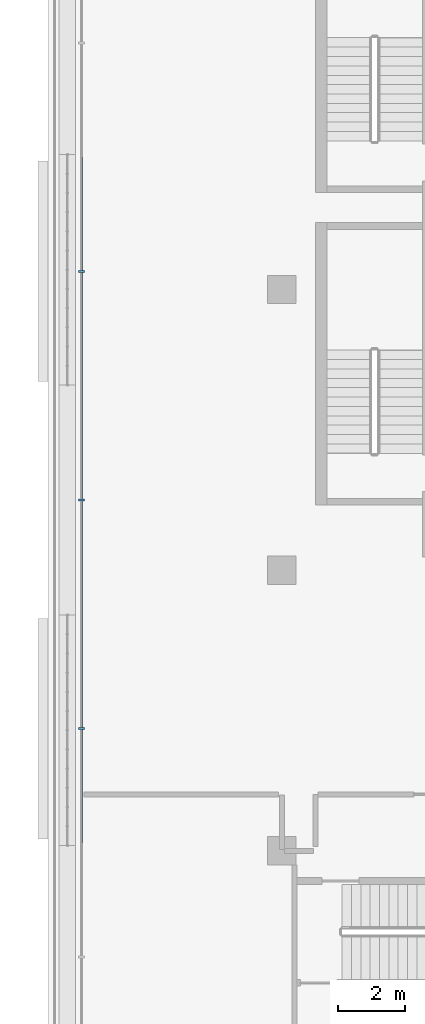
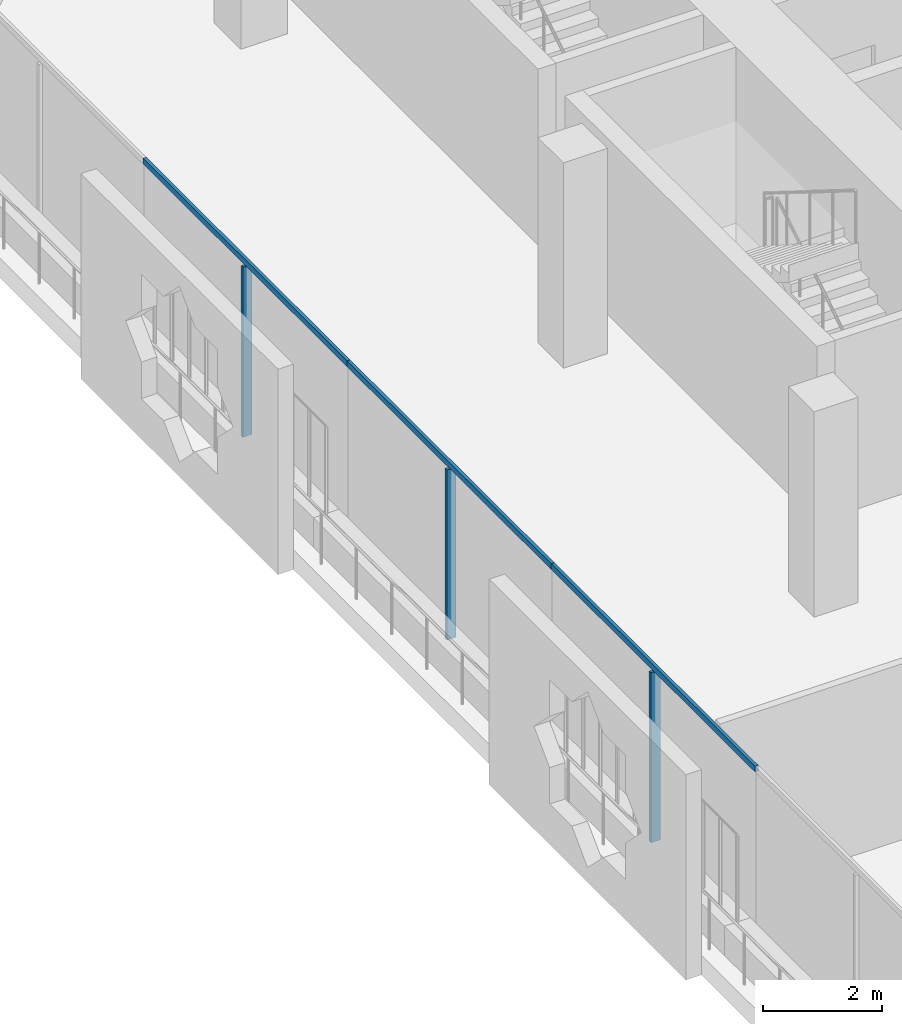
# One storey, part 3 of 21: 6 members, 1 element without a shape of its own.
"""IFC4 building model written with IfcOpenShell, lengths in metres."""

from ifc_helpers import new_model, si_unit, direction, frame, origin, origin_2d, place, context, subcontext, project, spatial, rectangle, extrude, material, layer, layer_set, material_profile, profile_set, type_object, element, aggregate, save


model = new_model("IFC4")

# Units and contexts
model_context = context("Model", 3, precision=1e-05, world=origin(), true_north=direction((0.0, 1.0)))
body_context = subcontext(model_context, "Body", "Model", "MODEL_VIEW")
ifc_project = project(units=[si_unit("LENGTHUNIT", "METRE"), si_unit("AREAUNIT", "SQUARE_METRE"), si_unit("VOLUMEUNIT", "CUBIC_METRE"), si_unit("PLANEANGLEUNIT", "RADIAN"), si_unit("MASSUNIT", "GRAM", prefix="KILO")], contexts=[model_context])

# Site, building, storey
site_placement = place(None, origin())
site = spatial("IfcSite", under=ifc_project, at=site_placement, CompositionType="ELEMENT")
building_placement = place(site_placement, origin())
building = spatial("IfcBuilding", under=site, at=building_placement, Name="Kawkab Arch Medical Tower", CompositionType="ELEMENT")
storey_placement = place(building_placement, frame((0.0, 0.0, 260.0)))
storey = spatial("IfcBuildingStorey", under=building, at=storey_placement, Name="L60", CompositionType="ELEMENT", Elevation=260.0)

# Curtain wall, members
ifc_material_1 = material(Name="Bronze anodised aluminium curtain wall frame", Category="aluminium")
ifc_layer = layer(ifc_material_1, 0.159912109375)
ifc_layer_set = layer_set([ifc_layer], Name="Bronze anodised aluminium curtain wall frame")
curtain_wall_type = type_object("IfcCurtainWallType", Name="CW1 ward curtain wall", PredefinedType="NOTDEFINED", material=ifc_layer_set)
curtain_wall_placement = place(storey_placement, origin())
curtain_wall = element("IfcCurtainWall", 1, at=curtain_wall_placement, inside=storey, type_object=curtain_wall_type, Name="CW1 Ward curtain wall R01", PredefinedType="NOTDEFINED")
ifc_material_2 = material(Name="Bronze anodised aluminium curtain wall frame", Category="aluminium")
ifc_material_profile_1 = material_profile(ifc_material_2, rectangle(XDim=0.179931640625, YDim=0.06005859375, at=origin_2d()), Name="AL 60x180")
ifc_profile_set_1 = profile_set([ifc_material_profile_1], Name="Bronze anodised aluminium curtain wall frame")
member_type_1 = type_object("IfcMemberType", Name="CW1 mullion 60 x 180", PredefinedType="MULLION", material=ifc_profile_set_1)
member_1_placement = place(storey_placement, frame((-6.0, -16.260009765625, 0.0), z_axis=(0.0, 0.0, 1.0), x_axis=(1.0, 0.0, 0.0)))
member_1 = element("IfcMember", 2, at=member_1_placement, type_object=member_type_1, Name="CW1 mullion 2.1", PredefinedType="MULLION", context=body_context, shape_type="SweptSolid", body=[
    extrude(rectangle(XDim=0.179931640625, YDim=0.06005859375, at=origin_2d()), origin(), (0.0, 0.0, 1.0), 3.47998046875),
])
member_2_placement = place(storey_placement, frame((-6.0, -23.10009765625, 0.0), z_axis=(0.0, 0.0, 1.0), x_axis=(1.0, 0.0, 0.0)))
member_2 = element("IfcMember", 3, at=member_2_placement, type_object=member_type_1, Name="CW1 mullion 3.1", PredefinedType="MULLION", context=body_context, shape_type="SweptSolid", body=[
    extrude(rectangle(XDim=0.179931640625, YDim=0.06005859375, at=origin_2d()), origin(), (0.0, 0.0, 1.0), 3.47998046875),
])
member_3_placement = place(storey_placement, frame((-6.0, -29.93994140625, 0.0), z_axis=(0.0, 0.0, 1.0), x_axis=(1.0, 0.0, 0.0)))
member_3 = element("IfcMember", 4, at=member_3_placement, type_object=member_type_1, Name="CW1 mullion 4.1", PredefinedType="MULLION", context=body_context, shape_type="SweptSolid", body=[
    extrude(rectangle(XDim=0.179931640625, YDim=0.06005859375, at=origin_2d()), origin(), (0.0, 0.0, 1.0), 3.47998046875),
])
ifc_material_3 = material(Name="Bronze anodised aluminium curtain wall frame", Category="aluminium")
ifc_material_profile_2 = material_profile(ifc_material_3, rectangle(XDim=0.06005859375, YDim=0.1201171875, at=origin_2d()), Name="AL 60x120")
ifc_profile_set_2 = profile_set([ifc_material_profile_2], Name="Bronze anodised aluminium curtain wall frame")
member_type_2 = type_object("IfcMemberType", Name="CW1 transom 120 x 60", PredefinedType="USERDEFINED", material=ifc_profile_set_2)
member_4_placement = place(storey_placement, frame((-6.0, -12.840087890625, 3.5400390625), z_axis=(0.0, -1.0, 0.0), x_axis=(1.0, 0.0, 0.0)))
member_4 = element("IfcMember", 5, at=member_4_placement, type_object=member_type_2, Name="CW1 transom 2", ObjectType="TRANSOM", PredefinedType="USERDEFINED", context=body_context, shape_type="SweptSolid", body=[
    extrude(rectangle(XDim=0.06005859375, YDim=0.1201171875, at=origin_2d()), origin(), (0.0, 0.0, 1.0), 6.83984375),
])
member_5_placement = place(storey_placement, frame((-6.0, -19.679931640625, 3.5400390625), z_axis=(0.0, -1.0, 0.0), x_axis=(1.0, 0.0, 0.0)))
member_5 = element("IfcMember", 6, at=member_5_placement, type_object=member_type_2, Name="CW1 transom 3", ObjectType="TRANSOM", PredefinedType="USERDEFINED", context=body_context, shape_type="SweptSolid", body=[
    extrude(rectangle(XDim=0.06005859375, YDim=0.1201171875, at=origin_2d()), origin(), (0.0, 0.0, 1.0), 6.840087890625),
])
member_6_placement = place(storey_placement, frame((-6.0, -26.52001953125, 3.5400390625), z_axis=(0.0, -1.0, 0.0), x_axis=(1.0, 0.0, 0.0)))
member_6 = element("IfcMember", 7, at=member_6_placement, type_object=member_type_2, Name="CW1 transom 4", ObjectType="TRANSOM", PredefinedType="USERDEFINED", context=body_context, shape_type="SweptSolid", body=[
    extrude(rectangle(XDim=0.06005859375, YDim=0.1201171875, at=origin_2d()), origin(), (0.0, 0.0, 1.0), 6.840087890625),
])
aggregate(curtain_wall, [member_4, member_1, member_5, member_2, member_6, member_3])

save(model, "model.ifc")
